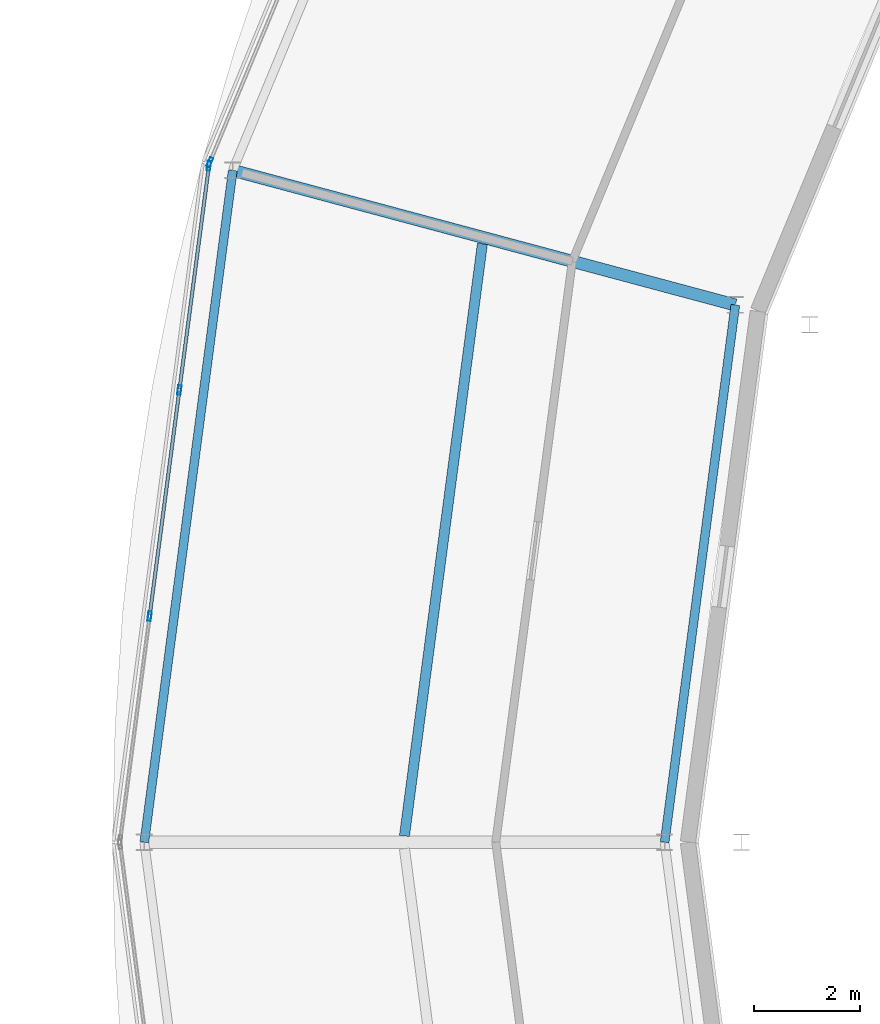
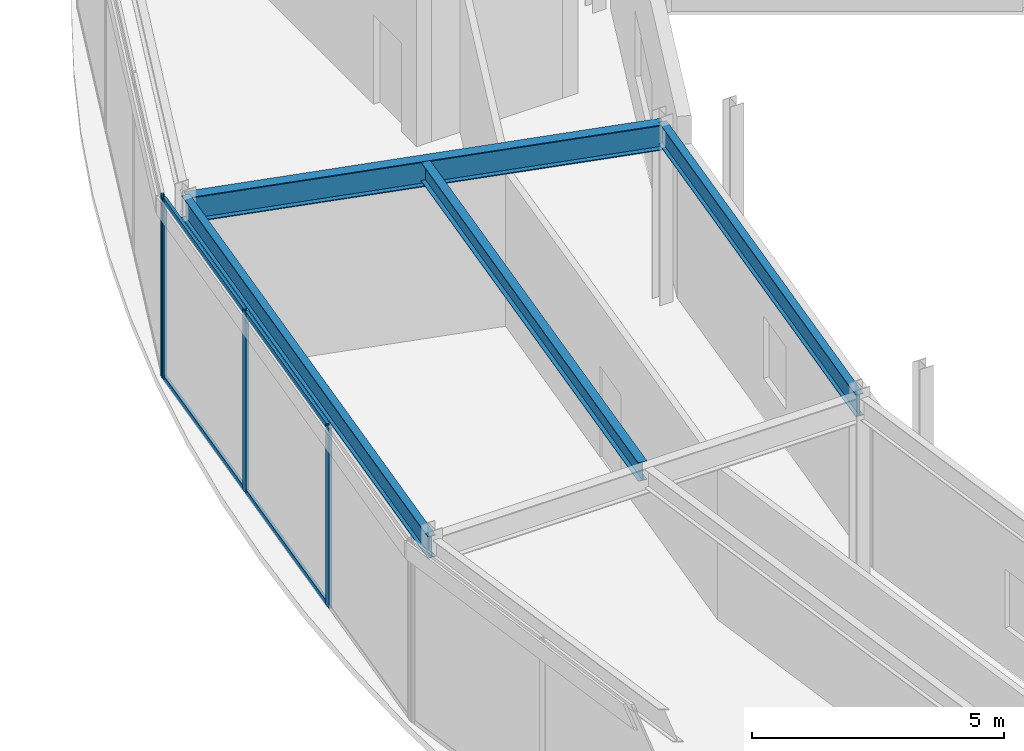
# One storey, part 21 of 116: 8 members, 4 beams, 2 elements without a shape of their own.
"""IFC4 building model written with IfcOpenShell, lengths in metres."""

from ifc_helpers import new_model, si_unit, direction, frame, origin, origin_2d, place, context, subcontext, project, spatial, hollow_rectangle, i_section, extrude, material, material_profile, profile_set, type_object, element, aggregate, save


model = new_model("IFC4")

# Units and contexts
model_context = context("Model", 3, precision=1e-05, world=origin(), true_north=direction((0.0, 1.0)))
body_context = subcontext(model_context, "Body", "Model", "MODEL_VIEW")
ifc_project = project(units=[si_unit("LENGTHUNIT", "METRE"), si_unit("AREAUNIT", "SQUARE_METRE"), si_unit("VOLUMEUNIT", "CUBIC_METRE"), si_unit("PLANEANGLEUNIT", "RADIAN"), si_unit("MASSUNIT", "GRAM", prefix="KILO")], contexts=[model_context])

# Site, building, storey
site_placement = place(None, origin())
site = spatial("IfcSite", under=ifc_project, at=site_placement, CompositionType="ELEMENT")
building_placement = place(site_placement, origin())
building = spatial("IfcBuilding", under=site, at=building_placement, Name="Almandine Court Research Institute", CompositionType="ELEMENT")
storey_placement = place(building_placement, frame((0.0, 0.0, 14.35009765625)))
storey = spatial("IfcBuildingStorey", under=building, at=storey_placement, Name="L03", CompositionType="ELEMENT", Elevation=14.35009765625)

# Beams
ifc_material_1 = material(Name="Steel ASTM A992 Grade 50", Category="steel")
ifc_material_profile_1 = material_profile(ifc_material_1, i_section(OverallWidth=0.18994140625, OverallDepth=0.45703125, WebThickness=0.009033203125, FlangeThickness=0.014892578125, at=origin_2d()), Name="W460x74")
ifc_profile_set_1 = profile_set([ifc_material_profile_1], Name="Steel ASTM A992 Grade 50")
beam_type_1 = type_object("IfcBeamType", Name="Beam-B-01", PredefinedType="BEAM", material=ifc_profile_set_1)
beam_1_placement = place(storey_placement, frame((44.468017578125, 67.27197265625, 4.094970703125), z_axis=(-0.130512904889, -0.991446610594, 0.0), x_axis=(0.991446610594, -0.130512904889, 0.0)))
element("IfcBeam", 1, at=beam_1_placement, inside=storey, type_object=beam_type_1, Name="L03 Drum MID Ring Beam 11", PredefinedType="BEAM", context=body_context, shape_type="SweptSolid", body=[
    extrude(i_section(OverallWidth=0.18994140625, OverallDepth=0.45703125, WebThickness=0.009033203125, FlangeThickness=0.014892578125, at=origin_2d()), origin(), (0.0, 0.0, 1.0), 11.248046875),
])
ifc_material_profile_2 = material_profile(ifc_material_1, i_section(OverallWidth=0.22998046875, OverallDepth=0.616943359375, WebThickness=0.012939453125, FlangeThickness=0.02197265625, at=origin_2d()), Name="W610x140")
ifc_profile_set_2 = profile_set([ifc_material_profile_2], Name="Steel ASTM A992 Grade 50")
beam_type_2 = type_object("IfcBeamType", Name="Beam-G-02", PredefinedType="BEAM", material=ifc_profile_set_2)
beam_2_placement = place(storey_placement, frame((49.23193359375, 66.1201171875, 4.014892578125), z_axis=(-0.965937821551, 0.258774274024, 0.0), x_axis=(-0.258774274024, -0.965937821551, 0.0)))
element("IfcBeam", 2, at=beam_2_placement, inside=storey, type_object=beam_type_2, Name="L03 Drum Radial Girder 11", PredefinedType="BEAM", context=body_context, shape_type="SweptSolid", body=[
    extrude(i_section(OverallWidth=0.22998046875, OverallDepth=0.616943359375, WebThickness=0.012939453125, FlangeThickness=0.02197265625, at=origin_2d()), origin(), (0.0, 0.0, 1.0), 9.799560546875),
])
ifc_material_profile_3 = material_profile(ifc_material_1, i_section(OverallWidth=0.166015625, OverallDepth=0.534912109375, WebThickness=0.010009765625, FlangeThickness=0.01708984375, at=origin_2d()), Name="W530x85")
ifc_profile_set_3 = profile_set([ifc_material_profile_3], Name="Steel ASTM A992 Grade 50")
beam_type_3 = type_object("IfcBeamType", Name="Beam-G-05-E", PredefinedType="SPANDREL", material=ifc_profile_set_3)
beam_3_placement = place(storey_placement, frame((49.23193359375, 66.1201171875, 4.055908203125), z_axis=(-0.130496584681, -0.991448758831, 0.0), x_axis=(0.991448758831, -0.130496584681, 0.0)))
element("IfcBeam", 3, at=beam_3_placement, inside=storey, type_object=beam_type_3, Name="L03 Drum IN Ring Beam 11", PredefinedType="SPANDREL", context=body_context, shape_type="SweptSolid", body=[
    extrude(i_section(OverallWidth=0.166015625, OverallDepth=0.534912109375, WebThickness=0.010009765625, FlangeThickness=0.01708984375, at=origin_2d()), origin(), (0.0, 0.0, 1.0), 10.20751953125),
])
beam_4_placement = place(storey_placement, frame((39.76611328125, 68.656005859375, 4.055908203125), z_axis=(-0.130512396599, -0.991446677504, 0.0), x_axis=(0.991446677504, -0.130512396599, 0.0)))
element("IfcBeam", 4, at=beam_4_placement, inside=storey, type_object=beam_type_3, Name="L03 Drum OUT Ring Beam 11", PredefinedType="SPANDREL", context=body_context, shape_type="SweptSolid", body=[
    extrude(i_section(OverallWidth=0.166015625, OverallDepth=0.534912109375, WebThickness=0.010009765625, FlangeThickness=0.01708984375, at=origin_2d()), origin(), (0.0, 0.0, 1.0), 12.76513671875),
])

# Curtain wall, member
ifc_material_2 = material(Name="Unitised Curtain Wall Framing and Solar Glazing", Category="glass")
curtain_wall_type = type_object("IfcCurtainWallType", Name="CW-CWJ-19", PredefinedType="USERDEFINED", material=ifc_material_2)
curtain_wall_1_placement = place(storey_placement, origin())
curtain_wall_1 = element("IfcCurtainWall", 5, at=curtain_wall_1_placement, inside=storey, type_object=curtain_wall_type, Name="L03 Stacked-Ring Drum Outer Solar Jali Screen 10", ObjectType="SOLAR JALI SCREEN", PredefinedType="USERDEFINED")
ifc_material_3 = material(Name="Anodised Aluminium AW-6063-T6", Category="aluminium")
ifc_material_profile_4 = material_profile(ifc_material_3, hollow_rectangle(XDim=0.06494140625, YDim=0.179931640625, WallThickness=0.00390625, at=origin_2d()), Name="ALU RHS 65x180x4")
ifc_profile_set_4 = profile_set([ifc_material_profile_4], Name="Anodised Aluminium AW-6063-T6")
member_type_1 = type_object("IfcMemberType", Name="CWMul-65x180", PredefinedType="MULLION", material=ifc_profile_set_4)
member_1_placement = place(storey_placement, frame((39.33544921875, 68.80908203125, 0.0), z_axis=(0.0, 0.0, 1.0), x_axis=(-0.923888124321, 0.382662689242, 0.0)))
member_1 = element("IfcMember", 6, at=member_1_placement, type_object=member_type_1, Name="CWJ-19 mullion 1", PredefinedType="MULLION", context=body_context, shape_type="SweptSolid", body=[
    extrude(hollow_rectangle(XDim=0.06494140625, YDim=0.179931640625, WallThickness=0.00390625, at=origin_2d()), origin(), (0.0, 0.0, 1.0), 4.369873046875),
])
aggregate(curtain_wall_1, [member_1])

# Curtain wall, members
curtain_wall_2_placement = place(storey_placement, origin())
curtain_wall_2 = element("IfcCurtainWall", 7, at=curtain_wall_2_placement, inside=storey, type_object=curtain_wall_type, Name="L03 Stacked-Ring Drum Outer Solar Jali Screen 11", ObjectType="SOLAR JALI SCREEN", PredefinedType="USERDEFINED")
member_2_placement = place(storey_placement, frame((38.200439453125, 60.259765625, 0.0), z_axis=(0.0, 0.0, 1.0), x_axis=(-0.991442926098, 0.130540891259, 0.0)))
member_2 = element("IfcMember", 8, at=member_2_placement, type_object=member_type_1, Name="CWJ-19 mullion 2", PredefinedType="MULLION", context=body_context, shape_type="SweptSolid", body=[
    extrude(hollow_rectangle(XDim=0.06494140625, YDim=0.179931640625, WallThickness=0.00390625, at=origin_2d()), origin(), (0.0, 0.0, 1.0), 4.369873046875),
])
member_3_placement = place(storey_placement, frame((38.7607421875, 64.515380859375, 0.0), z_axis=(0.0, 0.0, 1.0), x_axis=(-0.991442926098, 0.130540891259, 0.0)))
member_3 = element("IfcMember", 9, at=member_3_placement, type_object=member_type_1, Name="CWJ-19 mullion 3", PredefinedType="MULLION", context=body_context, shape_type="SweptSolid", body=[
    extrude(hollow_rectangle(XDim=0.06494140625, YDim=0.179931640625, WallThickness=0.00390625, at=origin_2d()), origin(), (0.0, 0.0, 1.0), 4.369873046875),
])
member_4_placement = place(storey_placement, frame((39.316650390625, 68.73876953125, 0.0), z_axis=(0.0, 0.0, 1.0), x_axis=(-0.991442926098, 0.130540891259, 0.0)))
member_4 = element("IfcMember", 10, at=member_4_placement, type_object=member_type_1, Name="CWJ-19 mullion 4", PredefinedType="MULLION", context=body_context, shape_type="SweptSolid", body=[
    extrude(hollow_rectangle(XDim=0.06494140625, YDim=0.179931640625, WallThickness=0.00390625, at=origin_2d()), origin(), (0.0, 0.0, 1.0), 4.369873046875),
])
ifc_material_profile_5 = material_profile(ifc_material_3, hollow_rectangle(XDim=0.06494140625, YDim=0.1298828125, WallThickness=0.00390625, at=origin_2d()), Name="ALU RHS 65x130x4")
ifc_profile_set_5 = profile_set([ifc_material_profile_5], Name="Anodised Aluminium AW-6063-T6")
member_type_2 = type_object("IfcMemberType", Name="CWTrn-65x130", PredefinedType="NOTDEFINED", material=ifc_profile_set_5)
member_5_placement = place(storey_placement, frame((38.20458984375, 60.2919921875, 0.032470703125), z_axis=(0.130521740045, 0.991445447504, 0.0), x_axis=(-0.991445447504, 0.130521740045, 0.0)))
member_5 = element("IfcMember", 11, at=member_5_placement, type_object=member_type_2, Name="CWJ-19 transom 2.1", ObjectType="TRANSOM", PredefinedType="USERDEFINED", context=body_context, shape_type="SweptSolid", body=[
    extrude(hollow_rectangle(XDim=0.06494140625, YDim=0.1298828125, WallThickness=0.00390625, at=origin_2d()), origin(), (0.0, 0.0, 1.0), 4.227294921875),
])
member_6_placement = place(storey_placement, frame((38.20458984375, 60.2919921875, 4.33740234375), z_axis=(0.130521740045, 0.991445447504, 0.0), x_axis=(-0.991445447504, 0.130521740045, 0.0)))
member_6 = element("IfcMember", 12, at=member_6_placement, type_object=member_type_2, Name="CWJ-19 transom 2.2", ObjectType="TRANSOM", PredefinedType="USERDEFINED", context=body_context, shape_type="SweptSolid", body=[
    extrude(hollow_rectangle(XDim=0.06494140625, YDim=0.1298828125, WallThickness=0.00390625, at=origin_2d()), origin(), (0.0, 0.0, 1.0), 4.227294921875),
])
member_7_placement = place(storey_placement, frame((38.764892578125, 64.547607421875, 0.032470703125), z_axis=(0.130543337873, 0.991442603955, 0.0), x_axis=(-0.991442603955, 0.130543337873, 0.0)))
member_7 = element("IfcMember", 13, at=member_7_placement, type_object=member_type_2, Name="CWJ-19 transom 3.1", ObjectType="TRANSOM", PredefinedType="USERDEFINED", context=body_context, shape_type="SweptSolid", body=[
    extrude(hollow_rectangle(XDim=0.06494140625, YDim=0.1298828125, WallThickness=0.00390625, at=origin_2d()), origin(), (0.0, 0.0, 1.0), 4.19482421875),
])
member_8_placement = place(storey_placement, frame((38.764892578125, 64.547607421875, 4.33740234375), z_axis=(0.130543337873, 0.991442603955, 0.0), x_axis=(-0.991442603955, 0.130543337873, 0.0)))
member_8 = element("IfcMember", 14, at=member_8_placement, type_object=member_type_2, Name="CWJ-19 transom 3.2", ObjectType="TRANSOM", PredefinedType="USERDEFINED", context=body_context, shape_type="SweptSolid", body=[
    extrude(hollow_rectangle(XDim=0.06494140625, YDim=0.1298828125, WallThickness=0.00390625, at=origin_2d()), origin(), (0.0, 0.0, 1.0), 4.19482421875),
])
aggregate(curtain_wall_2, [member_2, member_3, member_4, member_5, member_6, member_7, member_8])

save(model, "model.ifc")
